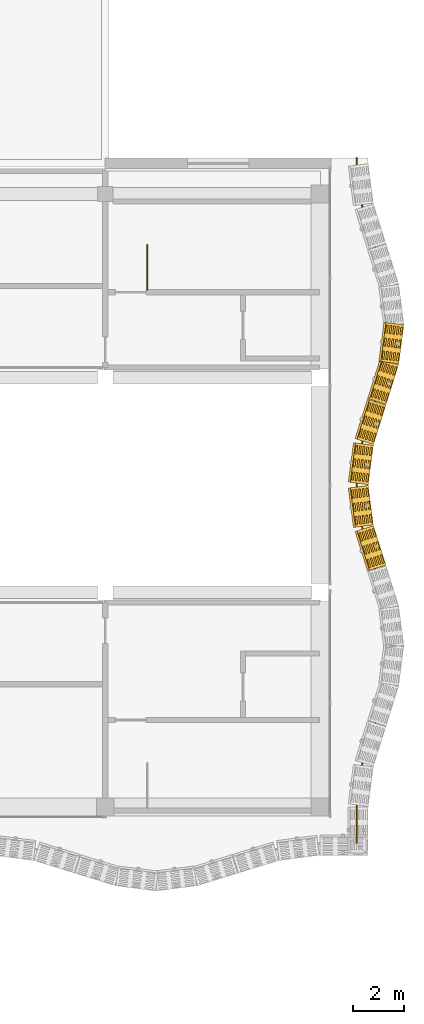
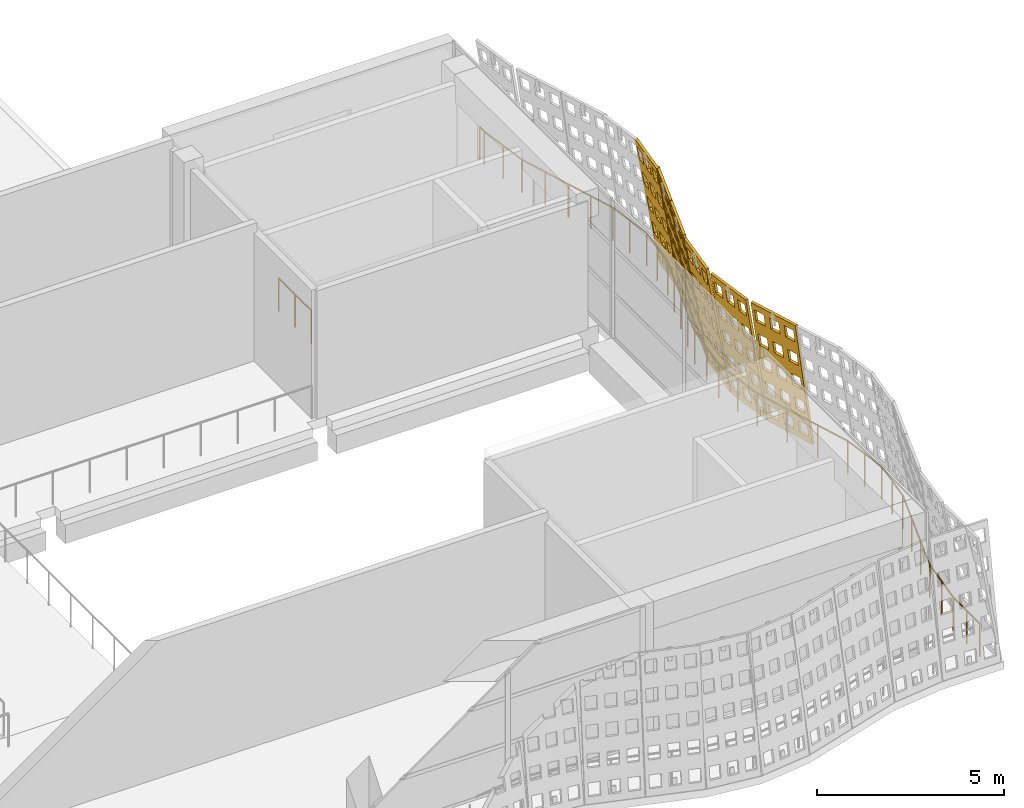
# One storey, part 161 of 162: 6 coverings, 2 railings.
"""IFC4 building model written with IfcOpenShell, lengths in metres."""

from ifc_helpers import new_model, si_unit, direction, frame, origin, origin_2d, place, context, subcontext, project, spatial, polyline, circle, outline, extrude, material, layer, layer_set, type_object, element, save


model = new_model("IFC4")

# Units and contexts
model_context = context("Model", 3, precision=1e-05, world=origin(), true_north=direction((0.0, 1.0)))
body_context = subcontext(model_context, "Body", "Model", "MODEL_VIEW")
ifc_project = project(units=[si_unit("LENGTHUNIT", "METRE"), si_unit("AREAUNIT", "SQUARE_METRE"), si_unit("VOLUMEUNIT", "CUBIC_METRE"), si_unit("PLANEANGLEUNIT", "RADIAN"), si_unit("MASSUNIT", "GRAM", prefix="KILO")], contexts=[model_context])

# Site, building, storey
site_placement = place(None, origin())
site = spatial("IfcSite", under=ifc_project, at=site_placement, CompositionType="ELEMENT")
building_placement = place(site_placement, origin())
building = spatial("IfcBuilding", under=site, at=building_placement, Name="Rain Tree Exposition and Congress Centre", CompositionType="ELEMENT")
storey_placement = place(building_placement, frame((0.0, 0.0, 6.0)))
storey = spatial("IfcBuildingStorey", under=building, at=storey_placement, Name="L01", CompositionType="ELEMENT", Elevation=6.0)

# Railing
ifc_material_1 = material(Name="Aluminium and glass balustrade", Category="aluminium")
railing_type_1 = type_object("IfcRailingType", Name="Concourse guard 1100", PredefinedType="GUARDRAIL", material=ifc_material_1)
railing_1_placement = place(storey_placement, frame((262.050048828125, 95.85009765625, 0.0)))
element("IfcRailing", 1, at=railing_1_placement, inside=storey, type_object=railing_type_1, Name="L01 ST-C12 top well guard 1", PredefinedType="GUARDRAIL", context=body_context, shape_type="SweptSolid", body=[
    extrude(circle(Radius=0.02392578125, at=origin_2d()), frame((0.0, 0.0, 1.076171875), z_axis=(0.0, 1.0, 0.0), x_axis=(-1.0, 0.0, 0.0)), (0.0, 0.0, 1.0), 1.75),
    extrude(circle(Radius=0.02099609375, at=origin_2d()), origin(), (0.0, 0.0, 1.0), 1.052001953125),
    extrude(circle(Radius=0.02099609375, at=origin_2d()), frame((0.0, 0.875, 0.0)), (0.0, 0.0, 1.0), 1.052001953125),
    extrude(circle(Radius=0.02099609375, at=origin_2d()), frame((0.0, 1.75, 0.0)), (0.0, 0.0, 1.0), 1.052001953125),
])

# Coverings
ifc_material_2 = material(Name="Perforated terracotta", Category="masonry")
ifc_layer = layer(ifc_material_2, 0.080078125)
ifc_layer_set = layer_set([ifc_layer], Name="Perforated terracotta")
covering_type = type_object("IfcCoveringType", Name="Terracotta screen 80", PredefinedType="CLADDING", material=ifc_layer_set)
covering_1_placement = place(storey_placement, frame((271.3984375, 85.04931640625, 0.0126953125), z_axis=(-0.942029390639, -0.295717964052, -0.158529217842), x_axis=(0.29950542383, -0.954094597562, 0.0)))
element("IfcCovering", 2, at=covering_1_placement, inside=storey, type_object=covering_type, Name="concourse/screen/L01/177", PredefinedType="CLADDING", context=body_context, shape_type="SweptSolid", body=[
    extrude(outline(polyline([(-1.635986328125, 0.0), (-1.635986328125, 4.291259765625), (-0.014892578125, 4.291259765625), (-0.014892578125, 0.0), (-1.635986328125, 0.0)]), holes=[polyline([(-0.11767578125, 0.221435546875), (-0.11767578125, 0.63671875), (-0.45263671875, 0.63671875), (-0.45263671875, 0.221435546875), (-0.11767578125, 0.221435546875)]), polyline([(-0.11767578125, 1.07958984375), (-0.11767578125, 1.4951171875), (-0.45263671875, 1.4951171875), (-0.45263671875, 1.07958984375), (-0.11767578125, 1.07958984375)]), polyline([(-0.11767578125, 1.93798828125), (-0.11767578125, 2.353271484375), (-0.45263671875, 2.353271484375), (-0.45263671875, 1.93798828125), (-0.11767578125, 1.93798828125)]), polyline([(-0.11767578125, 2.796142578125), (-0.11767578125, 3.21142578125), (-0.45263671875, 3.21142578125), (-0.45263671875, 2.796142578125), (-0.11767578125, 2.796142578125)]), polyline([(-0.11767578125, 3.654541015625), (-0.11767578125, 4.06982421875), (-0.45263671875, 4.06982421875), (-0.45263671875, 3.654541015625), (-0.11767578125, 3.654541015625)]), polyline([(-0.657958984375, 0.221435546875), (-0.657958984375, 0.63671875), (-0.992919921875, 0.63671875), (-0.992919921875, 0.221435546875), (-0.657958984375, 0.221435546875)]), polyline([(-0.657958984375, 1.07958984375), (-0.657958984375, 1.4951171875), (-0.992919921875, 1.4951171875), (-0.992919921875, 1.07958984375), (-0.657958984375, 1.07958984375)]), polyline([(-0.657958984375, 1.93798828125), (-0.657958984375, 2.353271484375), (-0.992919921875, 2.353271484375), (-0.992919921875, 1.93798828125), (-0.657958984375, 1.93798828125)]), polyline([(-0.657958984375, 2.796142578125), (-0.657958984375, 3.21142578125), (-0.992919921875, 3.21142578125), (-0.992919921875, 2.796142578125), (-0.657958984375, 2.796142578125)]), polyline([(-0.657958984375, 3.654541015625), (-0.657958984375, 4.06982421875), (-0.992919921875, 4.06982421875), (-0.992919921875, 3.654541015625), (-0.657958984375, 3.654541015625)]), polyline([(-1.1982421875, 0.221435546875), (-1.1982421875, 0.63671875), (-1.533203125, 0.63671875), (-1.533203125, 0.221435546875), (-1.1982421875, 0.221435546875)]), polyline([(-1.1982421875, 1.07958984375), (-1.1982421875, 1.4951171875), (-1.533203125, 1.4951171875), (-1.533203125, 1.07958984375), (-1.1982421875, 1.07958984375)]), polyline([(-1.1982421875, 1.93798828125), (-1.1982421875, 2.353271484375), (-1.533203125, 2.353271484375), (-1.533203125, 1.93798828125), (-1.1982421875, 1.93798828125)]), polyline([(-1.1982421875, 2.796142578125), (-1.1982421875, 3.21142578125), (-1.533203125, 3.21142578125), (-1.533203125, 2.796142578125), (-1.1982421875, 2.796142578125)]), polyline([(-1.1982421875, 3.654541015625), (-1.1982421875, 4.06982421875), (-1.533203125, 4.06982421875), (-1.533203125, 3.654541015625), (-1.1982421875, 3.654541015625)])]), origin(), (0.0, 0.0, 1.0), 0.080078125),
])
covering_2_placement = place(storey_placement, frame((270.903076171875, 86.624755859375, 0.01318359375), z_axis=(-0.9779030419, -0.128349774249, -0.165021138321), x_axis=(0.130133906157, -0.991496427865, 0.0)))
element("IfcCovering", 3, at=covering_2_placement, inside=storey, type_object=covering_type, Name="concourse/screen/L01/178", PredefinedType="CLADDING", context=body_context, shape_type="SweptSolid", body=[
    extrude(outline(polyline([(-1.5732421875, 0.0), (-1.5732421875, 4.295166015625), (-0.014892578125, 4.295166015625), (-0.014892578125, 0.0), (-1.5732421875, 0.0)]), holes=[polyline([(-0.11376953125, 0.2216796875), (-0.11376953125, 0.63720703125), (-0.435791015625, 0.63720703125), (-0.435791015625, 0.2216796875), (-0.11376953125, 0.2216796875)]), polyline([(-0.11376953125, 1.080810546875), (-0.11376953125, 1.496337890625), (-0.435791015625, 1.496337890625), (-0.435791015625, 1.080810546875), (-0.11376953125, 1.080810546875)]), polyline([(-0.11376953125, 1.939697265625), (-0.11376953125, 2.35546875), (-0.435791015625, 2.35546875), (-0.435791015625, 1.939697265625), (-0.11376953125, 1.939697265625)]), polyline([(-0.11376953125, 2.798583984375), (-0.11376953125, 3.21435546875), (-0.435791015625, 3.21435546875), (-0.435791015625, 2.798583984375), (-0.11376953125, 2.798583984375)]), polyline([(-0.11376953125, 3.65771484375), (-0.11376953125, 4.073486328125), (-0.435791015625, 4.073486328125), (-0.435791015625, 3.65771484375), (-0.11376953125, 3.65771484375)]), polyline([(-0.633056640625, 0.2216796875), (-0.633056640625, 0.63720703125), (-0.955078125, 0.63720703125), (-0.955078125, 0.2216796875), (-0.633056640625, 0.2216796875)]), polyline([(-0.633056640625, 1.080810546875), (-0.633056640625, 1.496337890625), (-0.955078125, 1.496337890625), (-0.955078125, 1.080810546875), (-0.633056640625, 1.080810546875)]), polyline([(-0.633056640625, 1.939697265625), (-0.633056640625, 2.35546875), (-0.955078125, 2.35546875), (-0.955078125, 1.939697265625), (-0.633056640625, 1.939697265625)]), polyline([(-0.633056640625, 2.798583984375), (-0.633056640625, 3.21435546875), (-0.955078125, 3.21435546875), (-0.955078125, 2.798583984375), (-0.633056640625, 2.798583984375)]), polyline([(-0.633056640625, 3.65771484375), (-0.633056640625, 4.073486328125), (-0.955078125, 4.073486328125), (-0.955078125, 3.65771484375), (-0.633056640625, 3.65771484375)]), polyline([(-1.152587890625, 0.2216796875), (-1.152587890625, 0.63720703125), (-1.474609375, 0.63720703125), (-1.474609375, 0.2216796875), (-1.152587890625, 0.2216796875)]), polyline([(-1.152587890625, 1.080810546875), (-1.152587890625, 1.496337890625), (-1.474609375, 1.496337890625), (-1.474609375, 1.080810546875), (-1.152587890625, 1.080810546875)]), polyline([(-1.152587890625, 1.939697265625), (-1.152587890625, 2.35546875), (-1.474609375, 2.35546875), (-1.474609375, 1.939697265625), (-1.152587890625, 1.939697265625)]), polyline([(-1.152587890625, 2.798583984375), (-1.152587890625, 3.21435546875), (-1.474609375, 3.21435546875), (-1.474609375, 2.798583984375), (-1.152587890625, 2.798583984375)]), polyline([(-1.152587890625, 3.65771484375), (-1.152587890625, 4.073486328125), (-1.474609375, 4.073486328125), (-1.474609375, 3.65771484375), (-1.152587890625, 3.65771484375)])]), origin(), (0.0, 0.0, 1.0), 0.079833984375),
])
covering_3_placement = place(storey_placement, frame((270.697998046875, 88.2001953125, 0.01318359375), z_axis=(-0.9779030419, 0.128349774249, -0.165021138321), x_axis=(-0.130133906157, -0.991496427865, 0.0)))
element("IfcCovering", 4, at=covering_3_placement, inside=storey, type_object=covering_type, Name="concourse/screen/L01/179", PredefinedType="CLADDING", context=body_context, shape_type="SweptSolid", body=[
    extrude(outline(polyline([(-1.5732421875, 0.0), (-1.5732421875, 4.295166015625), (-0.014892578125, 4.295166015625), (-0.014892578125, 0.0), (-1.5732421875, 0.0)]), holes=[polyline([(-0.11376953125, 0.2216796875), (-0.11376953125, 0.63720703125), (-0.435791015625, 0.63720703125), (-0.435791015625, 0.2216796875), (-0.11376953125, 0.2216796875)]), polyline([(-0.11376953125, 1.080810546875), (-0.11376953125, 1.496337890625), (-0.435791015625, 1.496337890625), (-0.435791015625, 1.080810546875), (-0.11376953125, 1.080810546875)]), polyline([(-0.11376953125, 1.939697265625), (-0.11376953125, 2.35546875), (-0.435791015625, 2.35546875), (-0.435791015625, 1.939697265625), (-0.11376953125, 1.939697265625)]), polyline([(-0.11376953125, 2.798583984375), (-0.11376953125, 3.21435546875), (-0.435791015625, 3.21435546875), (-0.435791015625, 2.798583984375), (-0.11376953125, 2.798583984375)]), polyline([(-0.11376953125, 3.65771484375), (-0.11376953125, 4.073486328125), (-0.435791015625, 4.073486328125), (-0.435791015625, 3.65771484375), (-0.11376953125, 3.65771484375)]), polyline([(-0.633056640625, 0.2216796875), (-0.633056640625, 0.63720703125), (-0.955078125, 0.63720703125), (-0.955078125, 0.2216796875), (-0.633056640625, 0.2216796875)]), polyline([(-0.633056640625, 1.080810546875), (-0.633056640625, 1.496337890625), (-0.955078125, 1.496337890625), (-0.955078125, 1.080810546875), (-0.633056640625, 1.080810546875)]), polyline([(-0.633056640625, 1.939697265625), (-0.633056640625, 2.35546875), (-0.955078125, 2.35546875), (-0.955078125, 1.939697265625), (-0.633056640625, 1.939697265625)]), polyline([(-0.633056640625, 2.798583984375), (-0.633056640625, 3.21435546875), (-0.955078125, 3.21435546875), (-0.955078125, 2.798583984375), (-0.633056640625, 2.798583984375)]), polyline([(-0.633056640625, 3.65771484375), (-0.633056640625, 4.073486328125), (-0.955078125, 4.073486328125), (-0.955078125, 3.65771484375), (-0.633056640625, 3.65771484375)]), polyline([(-1.152587890625, 0.2216796875), (-1.152587890625, 0.63720703125), (-1.474609375, 0.63720703125), (-1.474609375, 0.2216796875), (-1.152587890625, 0.2216796875)]), polyline([(-1.152587890625, 1.080810546875), (-1.152587890625, 1.496337890625), (-1.474609375, 1.496337890625), (-1.474609375, 1.080810546875), (-1.152587890625, 1.080810546875)]), polyline([(-1.152587890625, 1.939697265625), (-1.152587890625, 2.35546875), (-1.474609375, 2.35546875), (-1.474609375, 1.939697265625), (-1.152587890625, 1.939697265625)]), polyline([(-1.152587890625, 2.798583984375), (-1.152587890625, 3.21435546875), (-1.474609375, 3.21435546875), (-1.474609375, 2.798583984375), (-1.152587890625, 2.798583984375)]), polyline([(-1.152587890625, 3.65771484375), (-1.152587890625, 4.073486328125), (-1.474609375, 4.073486328125), (-1.474609375, 3.65771484375), (-1.152587890625, 3.65771484375)])]), origin(), (0.0, 0.0, 1.0), 0.079833984375),
])
covering_4_placement = place(storey_placement, frame((270.9033203125, 89.775634765625, 0.0126953125), z_axis=(-0.942029390639, 0.295717964052, -0.158529217842), x_axis=(-0.29950542383, -0.954094597562, 0.0)))
element("IfcCovering", 5, at=covering_4_placement, inside=storey, type_object=covering_type, Name="concourse/screen/L01/180", PredefinedType="CLADDING", context=body_context, shape_type="SweptSolid", body=[
    extrude(outline(polyline([(-1.635986328125, 0.0), (-1.635986328125, 4.291259765625), (-0.014892578125, 4.291259765625), (-0.014892578125, 0.0), (-1.635986328125, 0.0)]), holes=[polyline([(-0.11767578125, 0.221435546875), (-0.11767578125, 0.63671875), (-0.45263671875, 0.63671875), (-0.45263671875, 0.221435546875), (-0.11767578125, 0.221435546875)]), polyline([(-0.11767578125, 1.07958984375), (-0.11767578125, 1.4951171875), (-0.45263671875, 1.4951171875), (-0.45263671875, 1.07958984375), (-0.11767578125, 1.07958984375)]), polyline([(-0.11767578125, 1.93798828125), (-0.11767578125, 2.353271484375), (-0.45263671875, 2.353271484375), (-0.45263671875, 1.93798828125), (-0.11767578125, 1.93798828125)]), polyline([(-0.11767578125, 2.796142578125), (-0.11767578125, 3.21142578125), (-0.45263671875, 3.21142578125), (-0.45263671875, 2.796142578125), (-0.11767578125, 2.796142578125)]), polyline([(-0.11767578125, 3.654541015625), (-0.11767578125, 4.06982421875), (-0.45263671875, 4.06982421875), (-0.45263671875, 3.654541015625), (-0.11767578125, 3.654541015625)]), polyline([(-0.657958984375, 0.221435546875), (-0.657958984375, 0.63671875), (-0.992919921875, 0.63671875), (-0.992919921875, 0.221435546875), (-0.657958984375, 0.221435546875)]), polyline([(-0.657958984375, 1.07958984375), (-0.657958984375, 1.4951171875), (-0.992919921875, 1.4951171875), (-0.992919921875, 1.07958984375), (-0.657958984375, 1.07958984375)]), polyline([(-0.657958984375, 1.93798828125), (-0.657958984375, 2.353271484375), (-0.992919921875, 2.353271484375), (-0.992919921875, 1.93798828125), (-0.657958984375, 1.93798828125)]), polyline([(-0.657958984375, 2.796142578125), (-0.657958984375, 3.21142578125), (-0.992919921875, 3.21142578125), (-0.992919921875, 2.796142578125), (-0.657958984375, 2.796142578125)]), polyline([(-0.657958984375, 3.654541015625), (-0.657958984375, 4.06982421875), (-0.992919921875, 4.06982421875), (-0.992919921875, 3.654541015625), (-0.657958984375, 3.654541015625)]), polyline([(-1.1982421875, 0.221435546875), (-1.1982421875, 0.63671875), (-1.533203125, 0.63671875), (-1.533203125, 0.221435546875), (-1.1982421875, 0.221435546875)]), polyline([(-1.1982421875, 1.07958984375), (-1.1982421875, 1.4951171875), (-1.533203125, 1.4951171875), (-1.533203125, 1.07958984375), (-1.1982421875, 1.07958984375)]), polyline([(-1.1982421875, 1.93798828125), (-1.1982421875, 2.353271484375), (-1.533203125, 2.353271484375), (-1.533203125, 1.93798828125), (-1.1982421875, 1.93798828125)]), polyline([(-1.1982421875, 2.796142578125), (-1.1982421875, 3.21142578125), (-1.533203125, 3.21142578125), (-1.533203125, 2.796142578125), (-1.1982421875, 2.796142578125)]), polyline([(-1.1982421875, 3.654541015625), (-1.1982421875, 4.06982421875), (-1.533203125, 4.06982421875), (-1.533203125, 3.654541015625), (-1.1982421875, 3.654541015625)])]), origin(), (0.0, 0.0, 1.0), 0.080078125),
])
covering_5_placement = place(storey_placement, frame((271.3984375, 91.3505859375, 0.0126953125), z_axis=(-0.942029390639, 0.295717964052, -0.158529217842), x_axis=(-0.29950542383, -0.954094597562, 0.0)))
element("IfcCovering", 6, at=covering_5_placement, inside=storey, type_object=covering_type, Name="concourse/screen/L01/181", PredefinedType="CLADDING", context=body_context, shape_type="SweptSolid", body=[
    extrude(outline(polyline([(-1.62890625, 0.0), (-1.62890625, 4.291259765625), (-0.014892578125, 4.291259765625), (-0.014892578125, 0.0), (-1.62890625, 0.0)]), holes=[polyline([(-0.1171875, 0.221435546875), (-0.1171875, 0.63671875), (-0.45068359375, 0.63671875), (-0.45068359375, 0.221435546875), (-0.1171875, 0.221435546875)]), polyline([(-0.1171875, 1.07958984375), (-0.1171875, 1.4951171875), (-0.45068359375, 1.4951171875), (-0.45068359375, 1.07958984375), (-0.1171875, 1.07958984375)]), polyline([(-0.1171875, 1.93798828125), (-0.1171875, 2.353271484375), (-0.45068359375, 2.353271484375), (-0.45068359375, 1.93798828125), (-0.1171875, 1.93798828125)]), polyline([(-0.1171875, 2.796142578125), (-0.1171875, 3.21142578125), (-0.45068359375, 3.21142578125), (-0.45068359375, 2.796142578125), (-0.1171875, 2.796142578125)]), polyline([(-0.1171875, 3.654541015625), (-0.1171875, 4.06982421875), (-0.45068359375, 4.06982421875), (-0.45068359375, 3.654541015625), (-0.1171875, 3.654541015625)]), polyline([(-0.6552734375, 0.221435546875), (-0.6552734375, 0.63671875), (-0.98876953125, 0.63671875), (-0.98876953125, 0.221435546875), (-0.6552734375, 0.221435546875)]), polyline([(-0.6552734375, 1.07958984375), (-0.6552734375, 1.4951171875), (-0.98876953125, 1.4951171875), (-0.98876953125, 1.07958984375), (-0.6552734375, 1.07958984375)]), polyline([(-0.6552734375, 1.93798828125), (-0.6552734375, 2.353271484375), (-0.98876953125, 2.353271484375), (-0.98876953125, 1.93798828125), (-0.6552734375, 1.93798828125)]), polyline([(-0.6552734375, 2.796142578125), (-0.6552734375, 3.21142578125), (-0.98876953125, 3.21142578125), (-0.98876953125, 2.796142578125), (-0.6552734375, 2.796142578125)]), polyline([(-0.6552734375, 3.654541015625), (-0.6552734375, 4.06982421875), (-0.98876953125, 4.06982421875), (-0.98876953125, 3.654541015625), (-0.6552734375, 3.654541015625)]), polyline([(-1.193115234375, 0.221435546875), (-1.193115234375, 0.63671875), (-1.526611328125, 0.63671875), (-1.526611328125, 0.221435546875), (-1.193115234375, 0.221435546875)]), polyline([(-1.193115234375, 1.07958984375), (-1.193115234375, 1.4951171875), (-1.526611328125, 1.4951171875), (-1.526611328125, 1.07958984375), (-1.193115234375, 1.07958984375)]), polyline([(-1.193115234375, 1.93798828125), (-1.193115234375, 2.353271484375), (-1.526611328125, 2.353271484375), (-1.526611328125, 1.93798828125), (-1.193115234375, 1.93798828125)]), polyline([(-1.193115234375, 2.796142578125), (-1.193115234375, 3.21142578125), (-1.526611328125, 3.21142578125), (-1.526611328125, 2.796142578125), (-1.193115234375, 2.796142578125)]), polyline([(-1.193115234375, 3.654541015625), (-1.193115234375, 4.06982421875), (-1.526611328125, 4.06982421875), (-1.526611328125, 3.654541015625), (-1.193115234375, 3.654541015625)])]), origin(), (0.0, 0.0, 1.0), 0.080078125),
])
covering_6_placement = place(storey_placement, frame((271.89306640625, 92.92529296875, 0.01318359375), z_axis=(-0.9779030419, 0.128349774249, -0.165021138321), x_axis=(-0.130133906157, -0.991496427865, 0.0)))
element("IfcCovering", 7, at=covering_6_placement, inside=storey, type_object=covering_type, Name="concourse/screen/L01/182", PredefinedType="CLADDING", context=body_context, shape_type="SweptSolid", body=[
    extrude(outline(polyline([(-1.56298828125, 0.0), (-1.56298828125, 4.295166015625), (-0.02197265625, 4.295166015625), (-0.02197265625, 0.0), (-1.56298828125, 0.0)]), holes=[polyline([(-0.11962890625, 0.2216796875), (-0.11962890625, 0.63720703125), (-0.43798828125, 0.63720703125), (-0.43798828125, 0.2216796875), (-0.11962890625, 0.2216796875)]), polyline([(-0.11962890625, 1.080810546875), (-0.11962890625, 1.496337890625), (-0.43798828125, 1.496337890625), (-0.43798828125, 1.080810546875), (-0.11962890625, 1.080810546875)]), polyline([(-0.11962890625, 1.939697265625), (-0.11962890625, 2.35546875), (-0.43798828125, 2.35546875), (-0.43798828125, 1.939697265625), (-0.11962890625, 1.939697265625)]), polyline([(-0.11962890625, 2.798583984375), (-0.11962890625, 3.21435546875), (-0.43798828125, 3.21435546875), (-0.43798828125, 2.798583984375), (-0.11962890625, 2.798583984375)]), polyline([(-0.11962890625, 3.65771484375), (-0.11962890625, 4.073486328125), (-0.43798828125, 4.073486328125), (-0.43798828125, 3.65771484375), (-0.11962890625, 3.65771484375)]), polyline([(-0.63330078125, 0.2216796875), (-0.63330078125, 0.63720703125), (-0.95166015625, 0.63720703125), (-0.95166015625, 0.2216796875), (-0.63330078125, 0.2216796875)]), polyline([(-0.63330078125, 1.080810546875), (-0.63330078125, 1.496337890625), (-0.95166015625, 1.496337890625), (-0.95166015625, 1.080810546875), (-0.63330078125, 1.080810546875)]), polyline([(-0.63330078125, 1.939697265625), (-0.63330078125, 2.35546875), (-0.95166015625, 2.35546875), (-0.95166015625, 1.939697265625), (-0.63330078125, 1.939697265625)]), polyline([(-0.63330078125, 2.798583984375), (-0.63330078125, 3.21435546875), (-0.95166015625, 3.21435546875), (-0.95166015625, 2.798583984375), (-0.63330078125, 2.798583984375)]), polyline([(-0.63330078125, 3.65771484375), (-0.63330078125, 4.073486328125), (-0.95166015625, 4.073486328125), (-0.95166015625, 3.65771484375), (-0.63330078125, 3.65771484375)]), polyline([(-1.146728515625, 0.2216796875), (-1.146728515625, 0.63720703125), (-1.46533203125, 0.63720703125), (-1.46533203125, 0.2216796875), (-1.146728515625, 0.2216796875)]), polyline([(-1.146728515625, 1.080810546875), (-1.146728515625, 1.496337890625), (-1.46533203125, 1.496337890625), (-1.46533203125, 1.080810546875), (-1.146728515625, 1.080810546875)]), polyline([(-1.146728515625, 1.939697265625), (-1.146728515625, 2.35546875), (-1.46533203125, 2.35546875), (-1.46533203125, 1.939697265625), (-1.146728515625, 1.939697265625)]), polyline([(-1.146728515625, 2.798583984375), (-1.146728515625, 3.21435546875), (-1.46533203125, 3.21435546875), (-1.46533203125, 2.798583984375), (-1.146728515625, 2.798583984375)]), polyline([(-1.146728515625, 3.65771484375), (-1.146728515625, 4.073486328125), (-1.46533203125, 4.073486328125), (-1.46533203125, 3.65771484375), (-1.146728515625, 3.65771484375)])]), origin(), (0.0, 0.0, 1.0), 0.079833984375),
])

# Railing
ifc_material_3 = material(Name="Steel S355J2H", Category="steel")
railing_type_2 = type_object("IfcRailingType", Name="Wave ledge guard 1100", PredefinedType="GUARDRAIL", material=ifc_material_3)
railing_2_placement = place(storey_placement, frame((270.250244140625, 101.02001953125, 0.0)))
element("IfcRailing", 8, at=railing_2_placement, inside=storey, type_object=railing_type_2, Name="concourse/guard/ring/L01/01", PredefinedType="GUARDRAIL", context=body_context, shape_type="SweptSolid", body=[
    extrude(circle(Radius=0.02392578125, at=origin_2d()), frame((0.0, 0.0, 1.076171875), z_axis=(0.0, -1.0, 0.0), x_axis=(1.0, 0.0, 0.0)), (0.0, 0.0, 1.0), 0.249267578125),
    extrude(circle(Radius=0.02392578125, at=origin_2d()), frame((0.0, -0.249267578125, 1.076171875), z_axis=(0.129074614956, -0.991634884307, 0.0), x_axis=(0.991634884307, 0.129074614956, 0.0)), (0.0, 0.0, 1.0), 1.656982421875),
    extrude(circle(Radius=0.02392578125, at=origin_2d()), frame((0.2138671875, -1.892333984375, 1.076171875), z_axis=(0.299845375273, -0.953987814874, 0.0), x_axis=(0.953987814874, 0.299845375273, 0.0)), (0.0, 0.0, 1.0), 1.6904296875),
    extrude(circle(Radius=0.02392578125, at=origin_2d()), frame((0.720703125, -3.5048828125, 1.076171875), z_axis=(0.299818717824, -0.953996193096, 0.0), x_axis=(0.953996193096, 0.299818717824, 0.0)), (0.0, 0.0, 1.0), 1.611572265625),
    extrude(circle(Radius=0.02392578125, at=origin_2d()), frame((1.203857421875, -5.042236328125, 1.076171875), z_axis=(0.129094051722, -0.991632354156, 0.0), x_axis=(0.991632354156, 0.129094051722, 0.0)), (0.0, 0.0, 1.0), 1.490234375),
    extrude(circle(Radius=0.02392578125, at=origin_2d()), frame((1.396240234375, -6.52001953125, 1.076171875), z_axis=(-0.129094051722, -0.991632354156, 0.0), x_axis=(0.991632354156, -0.129094051722, 0.0)), (0.0, 0.0, 1.0), 1.490234375),
    extrude(circle(Radius=0.02392578125, at=origin_2d()), frame((1.203857421875, -7.997802734375, 1.076171875), z_axis=(-0.299818717824, -0.953996193096, 0.0), x_axis=(0.953996193096, -0.299818717824, 0.0)), (0.0, 0.0, 1.0), 1.611572265625),
    extrude(circle(Radius=0.02392578125, at=origin_2d()), frame((0.720703125, -9.53515625, 1.076171875), z_axis=(-0.299845375273, -0.953987814874, 0.0), x_axis=(0.953987814874, -0.299845375273, 0.0)), (0.0, 0.0, 1.0), 1.6904296875),
    extrude(circle(Radius=0.02392578125, at=origin_2d()), frame((0.2138671875, -11.147705078125, 1.076171875), z_axis=(-0.128986409927, -0.991646361388, 0.0), x_axis=(0.991646361388, -0.128986409927, 0.0)), (0.0, 0.0, 1.0), 1.6865234375),
    extrude(circle(Radius=0.02392578125, at=origin_2d()), frame((-0.003662109375, -12.820068359375, 1.076171875), z_axis=(0.129004929409, -0.991643952328, 0.0), x_axis=(0.991643952328, 0.129004929409, 0.0)), (0.0, 0.0, 1.0), 1.686279296875),
    extrude(circle(Radius=0.02392578125, at=origin_2d()), frame((0.2138671875, -14.4921875, 1.076171875), z_axis=(0.299811216218, -0.953998550644, 0.0), x_axis=(0.953998550644, 0.299811216218, 0.0)), (0.0, 0.0, 1.0), 3.302001953125),
    extrude(circle(Radius=0.02392578125, at=origin_2d()), frame((1.203857421875, -17.642333984375, 1.076171875), z_axis=(0.129094051722, -0.991632354156, 0.0), x_axis=(0.991632354156, 0.129094051722, 0.0)), (0.0, 0.0, 1.0), 1.490234375),
    extrude(circle(Radius=0.02392578125, at=origin_2d()), frame((1.396240234375, -19.1201171875, 1.076171875), z_axis=(-0.129094051722, -0.991632354156, 0.0), x_axis=(0.991632354156, -0.129094051722, 0.0)), (0.0, 0.0, 1.0), 1.490234375),
    extrude(circle(Radius=0.02392578125, at=origin_2d()), frame((1.203857421875, -20.597900390625, 1.076171875), z_axis=(-0.299832364823, -0.953991904056, 0.0), x_axis=(0.953991904056, -0.299832364823, 0.0)), (0.0, 0.0, 1.0), 3.3017578125),
    extrude(circle(Radius=0.02392578125, at=origin_2d()), frame((0.2138671875, -23.747802734375, 1.076171875), z_axis=(-0.129074614956, -0.991634884307, 0.0), x_axis=(0.991634884307, -0.129074614956, 0.0)), (0.0, 0.0, 1.0), 1.656982421875),
    extrude(circle(Radius=0.02392578125, at=origin_2d()), frame((0.0, -25.390869140625, 1.076171875), z_axis=(0.0, -1.0, 0.0), x_axis=(1.0, 0.0, 0.0)), (0.0, 0.0, 1.0), 1.41943359375),
    extrude(circle(Radius=0.02099609375, at=origin_2d()), origin(), (0.0, 0.0, 1.0), 1.052001953125),
    extrude(circle(Radius=0.02099609375, at=origin_2d()), frame((0.0, -0.249267578125, 0.0)), (0.0, 0.0, 1.0), 1.052001953125),
    extrude(circle(Radius=0.02099609375, at=origin_2d()), frame((0.10693359375, -1.07080078125, 0.0)), (0.0, 0.0, 1.0), 1.052001953125),
    extrude(circle(Radius=0.02099609375, at=origin_2d()), frame((0.2138671875, -1.892333984375, 0.0)), (0.0, 0.0, 1.0), 1.052001953125),
    extrude(circle(Radius=0.02099609375, at=origin_2d()), frame((0.46728515625, -2.69873046875, 0.0)), (0.0, 0.0, 1.0), 1.052001953125),
    extrude(circle(Radius=0.02099609375, at=origin_2d()), frame((0.720703125, -3.5048828125, 0.0)), (0.0, 0.0, 1.0), 1.052001953125),
    extrude(circle(Radius=0.02099609375, at=origin_2d()), frame((0.96240234375, -4.2734375, 0.0)), (0.0, 0.0, 1.0), 1.052001953125),
    extrude(circle(Radius=0.02099609375, at=origin_2d()), frame((1.203857421875, -5.042236328125, 0.0)), (0.0, 0.0, 1.0), 1.052001953125),
    extrude(circle(Radius=0.02099609375, at=origin_2d()), frame((1.300048828125, -5.78125, 0.0)), (0.0, 0.0, 1.0), 1.052001953125),
    extrude(circle(Radius=0.02099609375, at=origin_2d()), frame((1.396240234375, -6.52001953125, 0.0)), (0.0, 0.0, 1.0), 1.052001953125),
    extrude(circle(Radius=0.02099609375, at=origin_2d()), frame((1.300048828125, -7.2587890625, 0.0)), (0.0, 0.0, 1.0), 1.052001953125),
    extrude(circle(Radius=0.02099609375, at=origin_2d()), frame((1.203857421875, -7.997802734375, 0.0)), (0.0, 0.0, 1.0), 1.052001953125),
    extrude(circle(Radius=0.02099609375, at=origin_2d()), frame((0.96240234375, -8.7666015625, 0.0)), (0.0, 0.0, 1.0), 1.052001953125),
    extrude(circle(Radius=0.02099609375, at=origin_2d()), frame((0.720703125, -9.53515625, 0.0)), (0.0, 0.0, 1.0), 1.052001953125),
    extrude(circle(Radius=0.02099609375, at=origin_2d()), frame((0.46728515625, -10.34130859375, 0.0)), (0.0, 0.0, 1.0), 1.052001953125),
    extrude(circle(Radius=0.02099609375, at=origin_2d()), frame((0.2138671875, -11.147705078125, 0.0)), (0.0, 0.0, 1.0), 1.052001953125),
    extrude(circle(Radius=0.02099609375, at=origin_2d()), frame((0.10498046875, -11.98388671875, 0.0)), (0.0, 0.0, 1.0), 1.052001953125),
    extrude(circle(Radius=0.02099609375, at=origin_2d()), frame((-0.003662109375, -12.820068359375, 0.0)), (0.0, 0.0, 1.0), 1.052001953125),
    extrude(circle(Radius=0.02099609375, at=origin_2d()), frame((0.10498046875, -13.65625, 0.0)), (0.0, 0.0, 1.0), 1.052001953125),
    extrude(circle(Radius=0.02099609375, at=origin_2d()), frame((0.2138671875, -14.4921875, 0.0)), (0.0, 0.0, 1.0), 1.052001953125),
    extrude(circle(Radius=0.02099609375, at=origin_2d()), frame((0.5439453125, -15.542236328125, 0.0)), (0.0, 0.0, 1.0), 1.052001953125),
    extrude(circle(Radius=0.02099609375, at=origin_2d()), frame((0.873779296875, -16.59228515625, 0.0)), (0.0, 0.0, 1.0), 1.052001953125),
    extrude(circle(Radius=0.02099609375, at=origin_2d()), frame((1.203857421875, -17.642333984375, 0.0)), (0.0, 0.0, 1.0), 1.052001953125),
    extrude(circle(Radius=0.02099609375, at=origin_2d()), frame((1.300048828125, -18.38134765625, 0.0)), (0.0, 0.0, 1.0), 1.052001953125),
    extrude(circle(Radius=0.02099609375, at=origin_2d()), frame((1.396240234375, -19.1201171875, 0.0)), (0.0, 0.0, 1.0), 1.052001953125),
    extrude(circle(Radius=0.02099609375, at=origin_2d()), frame((1.300048828125, -19.85888671875, 0.0)), (0.0, 0.0, 1.0), 1.052001953125),
    extrude(circle(Radius=0.02099609375, at=origin_2d()), frame((1.203857421875, -20.597900390625, 0.0)), (0.0, 0.0, 1.0), 1.052001953125),
    extrude(circle(Radius=0.02099609375, at=origin_2d()), frame((0.873779296875, -21.64794921875, 0.0)), (0.0, 0.0, 1.0), 1.052001953125),
    extrude(circle(Radius=0.02099609375, at=origin_2d()), frame((0.5439453125, -22.69775390625, 0.0)), (0.0, 0.0, 1.0), 1.052001953125),
    extrude(circle(Radius=0.02099609375, at=origin_2d()), frame((0.2138671875, -23.747802734375, 0.0)), (0.0, 0.0, 1.0), 1.052001953125),
    extrude(circle(Radius=0.02099609375, at=origin_2d()), frame((0.10693359375, -24.5693359375, 0.0)), (0.0, 0.0, 1.0), 1.052001953125),
    extrude(circle(Radius=0.02099609375, at=origin_2d()), frame((0.0, -25.390869140625, 0.0)), (0.0, 0.0, 1.0), 1.052001953125),
    extrude(circle(Radius=0.02099609375, at=origin_2d()), frame((0.0, -26.1005859375, 0.0)), (0.0, 0.0, 1.0), 1.052001953125),
    extrude(circle(Radius=0.02099609375, at=origin_2d()), frame((0.0, -26.810302734375, 0.0)), (0.0, 0.0, 1.0), 1.052001953125),
])

save(model, "model.ifc")
